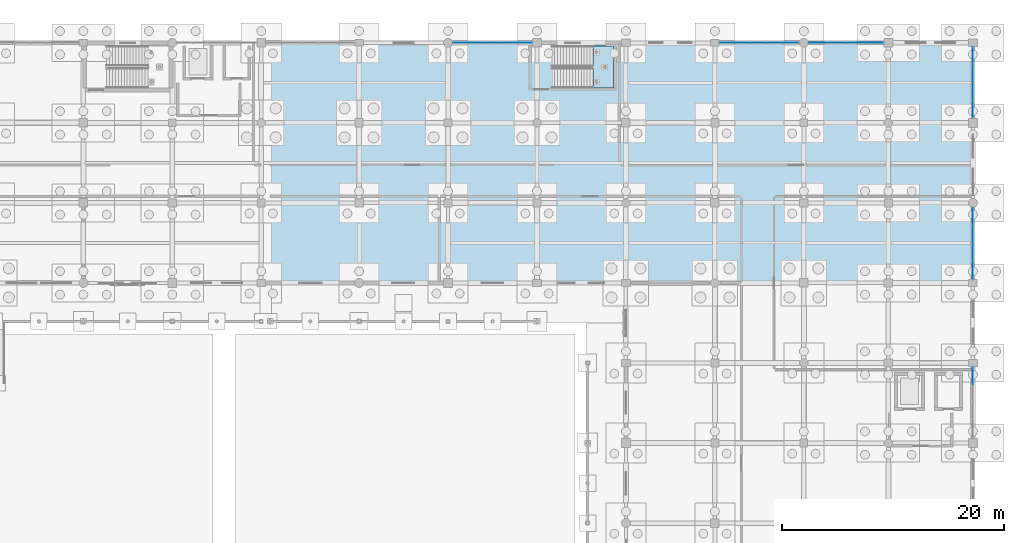
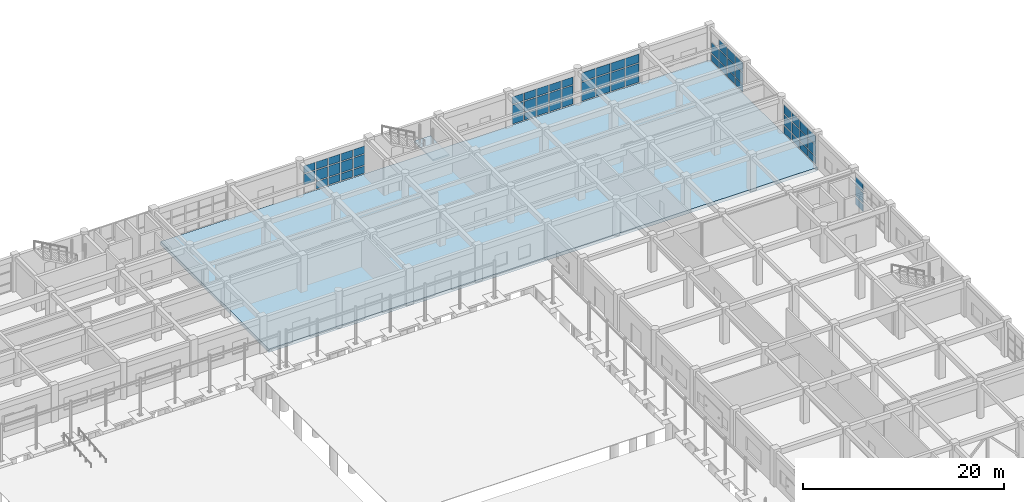
# One storey, part 117 of 166: 67 plates, 2 slabs, 7 elements without a shape of their own.
"""IFC4 building model written with IfcOpenShell, lengths in metres."""

from ifc_helpers import new_model, si_unit, direction, frame, origin, origin_2d, place, context, subcontext, project, spatial, polyline, rectangle, outline, extrude, material, layer, layer_set, type_object, element, aggregate, save


model = new_model("IFC4")

# Units and contexts
model_context = context("Model", 3, precision=1e-05, world=origin(), true_north=direction((0.0, 1.0)))
body_context = subcontext(model_context, "Body", "Model", "MODEL_VIEW")
ifc_project = project(units=[si_unit("LENGTHUNIT", "METRE"), si_unit("AREAUNIT", "SQUARE_METRE"), si_unit("VOLUMEUNIT", "CUBIC_METRE"), si_unit("PLANEANGLEUNIT", "RADIAN"), si_unit("MASSUNIT", "GRAM", prefix="KILO")], contexts=[model_context])

# Site, building, storey
site_placement = place(None, origin())
site = spatial("IfcSite", under=ifc_project, at=site_placement, CompositionType="ELEMENT")
building_placement = place(site_placement, origin())
building = spatial("IfcBuilding", under=site, at=building_placement, Name="Kharva Crest Polytechnic", CompositionType="ELEMENT")
storey_placement = place(building_placement, origin())
storey = spatial("IfcBuildingStorey", under=building, at=storey_placement, Name="L00", CompositionType="ELEMENT", Elevation=0.0)

# Curtain wall, plates
ifc_material_1 = material(Name="Tempered insulated glass", Category="glass")
curtain_wall_type = type_object("IfcCurtainWallType", Name="CW-SYS-COURT", PredefinedType="USERDEFINED", material=ifc_material_1)
curtain_wall_1_placement = place(storey_placement, origin())
curtain_wall_1 = element("IfcCurtainWall", 1, at=curtain_wall_1_placement, inside=storey, type_object=curtain_wall_type, Name="L00 Glazed Curtain Wall CW-018", ObjectType="CURTAIN WALL", PredefinedType="USERDEFINED")
ifc_layer_1 = layer(ifc_material_1, 0.02392578125, Name="Tempered insulated glass")
ifc_layer_set_1 = layer_set([ifc_layer_1], Name="Tempered insulated glass")
plate_type = type_object("IfcPlateType", Name="CWP-GLZ-24", PredefinedType="CURTAIN_PANEL", material=ifc_layer_set_1)
plate_1_placement = place(storey_placement, frame((184.0, 92.0419921875, 0.119873046875), z_axis=(0.0, 0.0, 1.0), x_axis=(0.0, 1.0, 0.0)))
plate_1 = element("IfcPlate", 2, at=plate_1_placement, type_object=plate_type, Name="CW-018 panel 4.1", PredefinedType="CURTAIN_PANEL", context=body_context, shape_type="SweptSolid", body=[
    extrude(rectangle(XDim=1.496337890625, YDim=0.02392578125, at=origin_2d()), origin(), (0.0, 0.0, 1.0), 0.8701171875),
])
plate_2_placement = place(storey_placement, frame((184.0, 92.0419921875, 1.10986328125), z_axis=(0.0, 0.0, 1.0), x_axis=(0.0, 1.0, 0.0)))
plate_2 = element("IfcPlate", 3, at=plate_2_placement, type_object=plate_type, Name="CW-018 panel 4.2", PredefinedType="CURTAIN_PANEL", context=body_context, shape_type="SweptSolid", body=[
    extrude(rectangle(XDim=1.496337890625, YDim=0.02392578125, at=origin_2d()), origin(), (0.0, 0.0, 1.0), 1.280029296875),
])
plate_3_placement = place(storey_placement, frame((184.0, 92.0419921875, 2.51025390625), z_axis=(0.0, 0.0, 1.0), x_axis=(0.0, 1.0, 0.0)))
plate_3 = element("IfcPlate", 4, at=plate_3_placement, type_object=plate_type, Name="CW-018 panel 4.3", PredefinedType="CURTAIN_PANEL", context=body_context, shape_type="SweptSolid", body=[
    extrude(rectangle(XDim=1.496337890625, YDim=0.02392578125, at=origin_2d()), origin(), (0.0, 0.0, 1.0), 0.969970703125),
])
aggregate(curtain_wall_1, [plate_1, plate_2, plate_3])

curtain_wall_2_placement = place(storey_placement, origin())
curtain_wall_2 = element("IfcCurtainWall", 5, at=curtain_wall_2_placement, inside=storey, type_object=curtain_wall_type, Name="L00 Glazed Curtain Wall CW-019", ObjectType="CURTAIN WALL", PredefinedType="USERDEFINED")
plate_4_placement = place(storey_placement, frame((184.0, 101.5361328125, 0.119873046875), z_axis=(0.0, 0.0, 1.0), x_axis=(0.0, 1.0, 0.0)))
plate_4 = element("IfcPlate", 6, at=plate_4_placement, type_object=plate_type, Name="CW-019 panel 1.1", PredefinedType="CURTAIN_PANEL", context=body_context, shape_type="SweptSolid", body=[
    extrude(rectangle(XDim=1.50244140625, YDim=0.02392578125, at=origin_2d()), origin(), (0.0, 0.0, 1.0), 0.8701171875),
])
plate_5_placement = place(storey_placement, frame((184.0, 101.5361328125, 1.10986328125), z_axis=(0.0, 0.0, 1.0), x_axis=(0.0, 1.0, 0.0)))
plate_5 = element("IfcPlate", 7, at=plate_5_placement, type_object=plate_type, Name="CW-019 panel 1.2", PredefinedType="CURTAIN_PANEL", context=body_context, shape_type="SweptSolid", body=[
    extrude(rectangle(XDim=1.50244140625, YDim=0.02392578125, at=origin_2d()), origin(), (0.0, 0.0, 1.0), 1.280029296875),
])
plate_6_placement = place(storey_placement, frame((184.0, 101.5361328125, 2.509765625), z_axis=(0.0, 0.0, 1.0), x_axis=(0.0, 1.0, 0.0)))
plate_6 = element("IfcPlate", 8, at=plate_6_placement, type_object=plate_type, Name="CW-019 panel 1.3", PredefinedType="CURTAIN_PANEL", context=body_context, shape_type="SweptSolid", body=[
    extrude(rectangle(XDim=1.50244140625, YDim=0.02392578125, at=origin_2d()), origin(), (0.0, 0.0, 1.0), 1.070068359375),
])
plate_7_placement = place(storey_placement, frame((184.0, 103.138671875, 0.119873046875), z_axis=(0.0, 0.0, 1.0), x_axis=(0.0, 1.0, 0.0)))
plate_7 = element("IfcPlate", 9, at=plate_7_placement, type_object=plate_type, Name="CW-019 panel 2.1", PredefinedType="CURTAIN_PANEL", context=body_context, shape_type="SweptSolid", body=[
    extrude(rectangle(XDim=1.54248046875, YDim=0.02392578125, at=origin_2d()), origin(), (0.0, 0.0, 1.0), 0.8701171875),
])
plate_8_placement = place(storey_placement, frame((184.0, 103.138671875, 1.10986328125), z_axis=(0.0, 0.0, 1.0), x_axis=(0.0, 1.0, 0.0)))
plate_8 = element("IfcPlate", 10, at=plate_8_placement, type_object=plate_type, Name="CW-019 panel 2.2", PredefinedType="CURTAIN_PANEL", context=body_context, shape_type="SweptSolid", body=[
    extrude(rectangle(XDim=1.54248046875, YDim=0.02392578125, at=origin_2d()), origin(), (0.0, 0.0, 1.0), 1.280029296875),
])
plate_9_placement = place(storey_placement, frame((184.0, 103.138671875, 2.509765625), z_axis=(0.0, 0.0, 1.0), x_axis=(0.0, 1.0, 0.0)))
plate_9 = element("IfcPlate", 11, at=plate_9_placement, type_object=plate_type, Name="CW-019 panel 2.3", PredefinedType="CURTAIN_PANEL", context=body_context, shape_type="SweptSolid", body=[
    extrude(rectangle(XDim=1.54248046875, YDim=0.02392578125, at=origin_2d()), origin(), (0.0, 0.0, 1.0), 1.070068359375),
])
plate_10_placement = place(storey_placement, frame((184.0, 104.76123046875, 0.119873046875), z_axis=(0.0, 0.0, 1.0), x_axis=(0.0, 1.0, 0.0)))
plate_10 = element("IfcPlate", 12, at=plate_10_placement, type_object=plate_type, Name="CW-019 panel 3.1", PredefinedType="CURTAIN_PANEL", context=body_context, shape_type="SweptSolid", body=[
    extrude(rectangle(XDim=1.54248046875, YDim=0.02392578125, at=origin_2d()), origin(), (0.0, 0.0, 1.0), 0.8701171875),
])
plate_11_placement = place(storey_placement, frame((184.0, 104.76123046875, 1.10986328125), z_axis=(0.0, 0.0, 1.0), x_axis=(0.0, 1.0, 0.0)))
plate_11 = element("IfcPlate", 13, at=plate_11_placement, type_object=plate_type, Name="CW-019 panel 3.2", PredefinedType="CURTAIN_PANEL", context=body_context, shape_type="SweptSolid", body=[
    extrude(rectangle(XDim=1.54248046875, YDim=0.02392578125, at=origin_2d()), origin(), (0.0, 0.0, 1.0), 1.280029296875),
])
plate_12_placement = place(storey_placement, frame((184.0, 104.76123046875, 2.509765625), z_axis=(0.0, 0.0, 1.0), x_axis=(0.0, 1.0, 0.0)))
plate_12 = element("IfcPlate", 14, at=plate_12_placement, type_object=plate_type, Name="CW-019 panel 3.3", PredefinedType="CURTAIN_PANEL", context=body_context, shape_type="SweptSolid", body=[
    extrude(rectangle(XDim=1.54248046875, YDim=0.02392578125, at=origin_2d()), origin(), (0.0, 0.0, 1.0), 1.070068359375),
])
plate_13_placement = place(storey_placement, frame((184.0, 106.36376953125, 0.119873046875), z_axis=(0.0, 0.0, 1.0), x_axis=(0.0, 1.0, 0.0)))
plate_13 = element("IfcPlate", 15, at=plate_13_placement, type_object=plate_type, Name="CW-019 panel 4.1", PredefinedType="CURTAIN_PANEL", context=body_context, shape_type="SweptSolid", body=[
    extrude(rectangle(XDim=1.50244140625, YDim=0.02392578125, at=origin_2d()), origin(), (0.0, 0.0, 1.0), 0.8701171875),
])
plate_14_placement = place(storey_placement, frame((184.0, 106.36376953125, 1.10986328125), z_axis=(0.0, 0.0, 1.0), x_axis=(0.0, 1.0, 0.0)))
plate_14 = element("IfcPlate", 16, at=plate_14_placement, type_object=plate_type, Name="CW-019 panel 4.2", PredefinedType="CURTAIN_PANEL", context=body_context, shape_type="SweptSolid", body=[
    extrude(rectangle(XDim=1.50244140625, YDim=0.02392578125, at=origin_2d()), origin(), (0.0, 0.0, 1.0), 1.280029296875),
])
plate_15_placement = place(storey_placement, frame((184.0, 106.36376953125, 2.509765625), z_axis=(0.0, 0.0, 1.0), x_axis=(0.0, 1.0, 0.0)))
plate_15 = element("IfcPlate", 17, at=plate_15_placement, type_object=plate_type, Name="CW-019 panel 4.3", PredefinedType="CURTAIN_PANEL", context=body_context, shape_type="SweptSolid", body=[
    extrude(rectangle(XDim=1.50244140625, YDim=0.02392578125, at=origin_2d()), origin(), (0.0, 0.0, 1.0), 1.070068359375),
])
aggregate(curtain_wall_2, [plate_4, plate_5, plate_6, plate_7, plate_8, plate_9, plate_10, plate_11, plate_12, plate_13, plate_14, plate_15])

curtain_wall_3_placement = place(storey_placement, origin())
curtain_wall_3 = element("IfcCurtainWall", 18, at=curtain_wall_3_placement, inside=storey, type_object=curtain_wall_type, Name="L00 Glazed Curtain Wall CW-020", ObjectType="CURTAIN WALL", PredefinedType="USERDEFINED")
plate_16_placement = place(storey_placement, frame((184.0, 116.033203125, 0.119873046875), z_axis=(0.0, 0.0, 1.0), x_axis=(0.0, 1.0, 0.0)))
plate_16 = element("IfcPlate", 19, at=plate_16_placement, type_object=plate_type, Name="CW-020 panel 1.1", PredefinedType="CURTAIN_PANEL", context=body_context, shape_type="SweptSolid", body=[
    extrude(rectangle(XDim=1.496337890625, YDim=0.02392578125, at=origin_2d()), origin(), (0.0, 0.0, 1.0), 0.8701171875),
])
plate_17_placement = place(storey_placement, frame((184.0, 116.033203125, 1.10986328125), z_axis=(0.0, 0.0, 1.0), x_axis=(0.0, 1.0, 0.0)))
plate_17 = element("IfcPlate", 20, at=plate_17_placement, type_object=plate_type, Name="CW-020 panel 1.2", PredefinedType="CURTAIN_PANEL", context=body_context, shape_type="SweptSolid", body=[
    extrude(rectangle(XDim=1.496337890625, YDim=0.02392578125, at=origin_2d()), origin(), (0.0, 0.0, 1.0), 1.280029296875),
])
plate_18_placement = place(storey_placement, frame((184.0, 116.033203125, 2.510009765625), z_axis=(0.0, 0.0, 1.0), x_axis=(0.0, 1.0, 0.0)))
plate_18 = element("IfcPlate", 21, at=plate_18_placement, type_object=plate_type, Name="CW-020 panel 1.3", PredefinedType="CURTAIN_PANEL", context=body_context, shape_type="SweptSolid", body=[
    extrude(rectangle(XDim=1.496337890625, YDim=0.02392578125, at=origin_2d()), origin(), (0.0, 0.0, 1.0), 1.14990234375),
])
plate_19_placement = place(storey_placement, frame((184.0, 117.62939453125, 0.119873046875), z_axis=(0.0, 0.0, 1.0), x_axis=(0.0, 1.0, 0.0)))
plate_19 = element("IfcPlate", 22, at=plate_19_placement, type_object=plate_type, Name="CW-020 panel 2.1", PredefinedType="CURTAIN_PANEL", context=body_context, shape_type="SweptSolid", body=[
    extrude(rectangle(XDim=1.5361328125, YDim=0.02392578125, at=origin_2d()), origin(), (0.0, 0.0, 1.0), 0.8701171875),
])
plate_20_placement = place(storey_placement, frame((184.0, 117.62939453125, 1.10986328125), z_axis=(0.0, 0.0, 1.0), x_axis=(0.0, 1.0, 0.0)))
plate_20 = element("IfcPlate", 23, at=plate_20_placement, type_object=plate_type, Name="CW-020 panel 2.2", PredefinedType="CURTAIN_PANEL", context=body_context, shape_type="SweptSolid", body=[
    extrude(rectangle(XDim=1.5361328125, YDim=0.02392578125, at=origin_2d()), origin(), (0.0, 0.0, 1.0), 1.280029296875),
])
plate_21_placement = place(storey_placement, frame((184.0, 117.62939453125, 2.510009765625), z_axis=(0.0, 0.0, 1.0), x_axis=(0.0, 1.0, 0.0)))
plate_21 = element("IfcPlate", 24, at=plate_21_placement, type_object=plate_type, Name="CW-020 panel 2.3", PredefinedType="CURTAIN_PANEL", context=body_context, shape_type="SweptSolid", body=[
    extrude(rectangle(XDim=1.5361328125, YDim=0.02392578125, at=origin_2d()), origin(), (0.0, 0.0, 1.0), 1.14990234375),
])
plate_22_placement = place(storey_placement, frame((184.0, 119.24560546875, 0.119873046875), z_axis=(0.0, 0.0, 1.0), x_axis=(0.0, 1.0, 0.0)))
plate_22 = element("IfcPlate", 25, at=plate_22_placement, type_object=plate_type, Name="CW-020 panel 3.1", PredefinedType="CURTAIN_PANEL", context=body_context, shape_type="SweptSolid", body=[
    extrude(rectangle(XDim=1.5361328125, YDim=0.02392578125, at=origin_2d()), origin(), (0.0, 0.0, 1.0), 0.8701171875),
])
plate_23_placement = place(storey_placement, frame((184.0, 119.24560546875, 1.10986328125), z_axis=(0.0, 0.0, 1.0), x_axis=(0.0, 1.0, 0.0)))
plate_23 = element("IfcPlate", 26, at=plate_23_placement, type_object=plate_type, Name="CW-020 panel 3.2", PredefinedType="CURTAIN_PANEL", context=body_context, shape_type="SweptSolid", body=[
    extrude(rectangle(XDim=1.5361328125, YDim=0.02392578125, at=origin_2d()), origin(), (0.0, 0.0, 1.0), 1.280029296875),
])
plate_24_placement = place(storey_placement, frame((184.0, 119.24560546875, 2.510009765625), z_axis=(0.0, 0.0, 1.0), x_axis=(0.0, 1.0, 0.0)))
plate_24 = element("IfcPlate", 27, at=plate_24_placement, type_object=plate_type, Name="CW-020 panel 3.3", PredefinedType="CURTAIN_PANEL", context=body_context, shape_type="SweptSolid", body=[
    extrude(rectangle(XDim=1.5361328125, YDim=0.02392578125, at=origin_2d()), origin(), (0.0, 0.0, 1.0), 1.14990234375),
])
plate_25_placement = place(storey_placement, frame((184.0, 120.841796875, 0.119873046875), z_axis=(0.0, 0.0, 1.0), x_axis=(0.0, 1.0, 0.0)))
plate_25 = element("IfcPlate", 28, at=plate_25_placement, type_object=plate_type, Name="CW-020 panel 4.1", PredefinedType="CURTAIN_PANEL", context=body_context, shape_type="SweptSolid", body=[
    extrude(rectangle(XDim=1.496337890625, YDim=0.02392578125, at=origin_2d()), origin(), (0.0, 0.0, 1.0), 0.8701171875),
])
plate_26_placement = place(storey_placement, frame((184.0, 120.841796875, 1.10986328125), z_axis=(0.0, 0.0, 1.0), x_axis=(0.0, 1.0, 0.0)))
plate_26 = element("IfcPlate", 29, at=plate_26_placement, type_object=plate_type, Name="CW-020 panel 4.2", PredefinedType="CURTAIN_PANEL", context=body_context, shape_type="SweptSolid", body=[
    extrude(rectangle(XDim=1.496337890625, YDim=0.02392578125, at=origin_2d()), origin(), (0.0, 0.0, 1.0), 1.280029296875),
])
aggregate(curtain_wall_3, [plate_16, plate_17, plate_18, plate_19, plate_20, plate_21, plate_22, plate_23, plate_24, plate_25, plate_26])

curtain_wall_4_placement = place(storey_placement, origin())
curtain_wall_4 = element("IfcCurtainWall", 30, at=curtain_wall_4_placement, inside=storey, type_object=curtain_wall_type, Name="L00 Glazed Curtain Wall CW-021", ObjectType="CURTAIN WALL", PredefinedType="USERDEFINED")
plate_27_placement = place(storey_placement, frame((175.126220703125, 122.0, 0.119873046875), z_axis=(0.0, 0.0, 1.0), x_axis=(-1.0, 0.0, 0.0)))
plate_27 = element("IfcPlate", 31, at=plate_27_placement, type_object=plate_type, Name="CW-021 panel 1.1", PredefinedType="CURTAIN_PANEL", context=body_context, shape_type="SweptSolid", body=[
    extrude(rectangle(XDim=1.577392578125, YDim=0.02392578125, at=origin_2d()), origin(), (0.0, 0.0, 1.0), 0.8701171875),
])
plate_28_placement = place(storey_placement, frame((175.126220703125, 122.0, 1.10986328125), z_axis=(0.0, 0.0, 1.0), x_axis=(-1.0, 0.0, 0.0)))
plate_28 = element("IfcPlate", 32, at=plate_28_placement, type_object=plate_type, Name="CW-021 panel 1.2", PredefinedType="CURTAIN_PANEL", context=body_context, shape_type="SweptSolid", body=[
    extrude(rectangle(XDim=1.577392578125, YDim=0.02392578125, at=origin_2d()), origin(), (0.0, 0.0, 1.0), 1.280029296875),
])
plate_29_placement = place(storey_placement, frame((175.126220703125, 122.0, 2.510009765625), z_axis=(0.0, 0.0, 1.0), x_axis=(-1.0, 0.0, 0.0)))
plate_29 = element("IfcPlate", 33, at=plate_29_placement, type_object=plate_type, Name="CW-021 panel 1.3", PredefinedType="CURTAIN_PANEL", context=body_context, shape_type="SweptSolid", body=[
    extrude(rectangle(XDim=1.577392578125, YDim=0.02392578125, at=origin_2d()), origin(), (0.0, 0.0, 1.0), 1.0400390625),
])
plate_30_placement = place(storey_placement, frame((173.44873046875, 122.0, 0.119873046875), z_axis=(0.0, 0.0, 1.0), x_axis=(-1.0, 0.0, 0.0)))
plate_30 = element("IfcPlate", 34, at=plate_30_placement, type_object=plate_type, Name="CW-021 panel 2.1", PredefinedType="CURTAIN_PANEL", context=body_context, shape_type="SweptSolid", body=[
    extrude(rectangle(XDim=1.617431640625, YDim=0.02392578125, at=origin_2d()), origin(), (0.0, 0.0, 1.0), 0.8701171875),
])
plate_31_placement = place(storey_placement, frame((173.44873046875, 122.0, 1.10986328125), z_axis=(0.0, 0.0, 1.0), x_axis=(-1.0, 0.0, 0.0)))
plate_31 = element("IfcPlate", 35, at=plate_31_placement, type_object=plate_type, Name="CW-021 panel 2.2", PredefinedType="CURTAIN_PANEL", context=body_context, shape_type="SweptSolid", body=[
    extrude(rectangle(XDim=1.617431640625, YDim=0.02392578125, at=origin_2d()), origin(), (0.0, 0.0, 1.0), 1.280029296875),
])
plate_32_placement = place(storey_placement, frame((173.44873046875, 122.0, 2.510009765625), z_axis=(0.0, 0.0, 1.0), x_axis=(-1.0, 0.0, 0.0)))
plate_32 = element("IfcPlate", 36, at=plate_32_placement, type_object=plate_type, Name="CW-021 panel 2.3", PredefinedType="CURTAIN_PANEL", context=body_context, shape_type="SweptSolid", body=[
    extrude(rectangle(XDim=1.617431640625, YDim=0.02392578125, at=origin_2d()), origin(), (0.0, 0.0, 1.0), 1.0400390625),
])
plate_33_placement = place(storey_placement, frame((171.751220703125, 122.0, 0.119873046875), z_axis=(0.0, 0.0, 1.0), x_axis=(-1.0, 0.0, 0.0)))
plate_33 = element("IfcPlate", 37, at=plate_33_placement, type_object=plate_type, Name="CW-021 panel 3.1", PredefinedType="CURTAIN_PANEL", context=body_context, shape_type="SweptSolid", body=[
    extrude(rectangle(XDim=1.617431640625, YDim=0.02392578125, at=origin_2d()), origin(), (0.0, 0.0, 1.0), 0.8701171875),
])
plate_34_placement = place(storey_placement, frame((171.751220703125, 122.0, 1.10986328125), z_axis=(0.0, 0.0, 1.0), x_axis=(-1.0, 0.0, 0.0)))
plate_34 = element("IfcPlate", 38, at=plate_34_placement, type_object=plate_type, Name="CW-021 panel 3.2", PredefinedType="CURTAIN_PANEL", context=body_context, shape_type="SweptSolid", body=[
    extrude(rectangle(XDim=1.617431640625, YDim=0.02392578125, at=origin_2d()), origin(), (0.0, 0.0, 1.0), 1.280029296875),
])
plate_35_placement = place(storey_placement, frame((171.751220703125, 122.0, 2.510009765625), z_axis=(0.0, 0.0, 1.0), x_axis=(-1.0, 0.0, 0.0)))
plate_35 = element("IfcPlate", 39, at=plate_35_placement, type_object=plate_type, Name="CW-021 panel 3.3", PredefinedType="CURTAIN_PANEL", context=body_context, shape_type="SweptSolid", body=[
    extrude(rectangle(XDim=1.617431640625, YDim=0.02392578125, at=origin_2d()), origin(), (0.0, 0.0, 1.0), 1.0400390625),
])
plate_36_placement = place(storey_placement, frame((170.07373046875, 122.0, 0.119873046875), z_axis=(0.0, 0.0, 1.0), x_axis=(-1.0, 0.0, 0.0)))
plate_36 = element("IfcPlate", 40, at=plate_36_placement, type_object=plate_type, Name="CW-021 panel 4.1", PredefinedType="CURTAIN_PANEL", context=body_context, shape_type="SweptSolid", body=[
    extrude(rectangle(XDim=1.577392578125, YDim=0.02392578125, at=origin_2d()), origin(), (0.0, 0.0, 1.0), 0.8701171875),
])
plate_37_placement = place(storey_placement, frame((170.07373046875, 122.0, 1.10986328125), z_axis=(0.0, 0.0, 1.0), x_axis=(-1.0, 0.0, 0.0)))
plate_37 = element("IfcPlate", 41, at=plate_37_placement, type_object=plate_type, Name="CW-021 panel 4.2", PredefinedType="CURTAIN_PANEL", context=body_context, shape_type="SweptSolid", body=[
    extrude(rectangle(XDim=1.577392578125, YDim=0.02392578125, at=origin_2d()), origin(), (0.0, 0.0, 1.0), 1.280029296875),
])
plate_38_placement = place(storey_placement, frame((170.07373046875, 122.0, 2.510009765625), z_axis=(0.0, 0.0, 1.0), x_axis=(-1.0, 0.0, 0.0)))
plate_38 = element("IfcPlate", 42, at=plate_38_placement, type_object=plate_type, Name="CW-021 panel 4.3", PredefinedType="CURTAIN_PANEL", context=body_context, shape_type="SweptSolid", body=[
    extrude(rectangle(XDim=1.577392578125, YDim=0.02392578125, at=origin_2d()), origin(), (0.0, 0.0, 1.0), 1.0400390625),
])
aggregate(curtain_wall_4, [plate_27, plate_28, plate_29, plate_30, plate_31, plate_32, plate_33, plate_34, plate_35, plate_36, plate_37, plate_38])

curtain_wall_5_placement = place(storey_placement, origin())
curtain_wall_5 = element("IfcCurtainWall", 43, at=curtain_wall_5_placement, inside=storey, type_object=curtain_wall_type, Name="L00 Glazed Curtain Wall CW-022", ObjectType="CURTAIN WALL", PredefinedType="USERDEFINED")
plate_39_placement = place(storey_placement, frame((167.655029296875, 122.0, 0.119873046875), z_axis=(0.0, 0.0, 1.0), x_axis=(-1.0, 0.0, 0.0)))
plate_39 = element("IfcPlate", 44, at=plate_39_placement, type_object=plate_type, Name="CW-022 panel 1.1", PredefinedType="CURTAIN_PANEL", context=body_context, shape_type="SweptSolid", body=[
    extrude(rectangle(XDim=1.320068359375, YDim=0.02392578125, at=origin_2d()), origin(), (0.0, 0.0, 1.0), 0.8701171875),
])
plate_40_placement = place(storey_placement, frame((167.655029296875, 122.0, 1.10986328125), z_axis=(0.0, 0.0, 1.0), x_axis=(-1.0, 0.0, 0.0)))
plate_40 = element("IfcPlate", 45, at=plate_40_placement, type_object=plate_type, Name="CW-022 panel 1.2", PredefinedType="CURTAIN_PANEL", context=body_context, shape_type="SweptSolid", body=[
    extrude(rectangle(XDim=1.320068359375, YDim=0.02392578125, at=origin_2d()), origin(), (0.0, 0.0, 1.0), 1.280029296875),
])
plate_41_placement = place(storey_placement, frame((167.655029296875, 122.0, 2.51025390625), z_axis=(0.0, 0.0, 1.0), x_axis=(-1.0, 0.0, 0.0)))
plate_41 = element("IfcPlate", 46, at=plate_41_placement, type_object=plate_type, Name="CW-022 panel 1.3", PredefinedType="CURTAIN_PANEL", context=body_context, shape_type="SweptSolid", body=[
    extrude(rectangle(XDim=1.320068359375, YDim=0.02392578125, at=origin_2d()), origin(), (0.0, 0.0, 1.0), 0.909912109375),
])
plate_42_placement = place(storey_placement, frame((166.235107421875, 122.0, 0.119873046875), z_axis=(0.0, 0.0, 1.0), x_axis=(-1.0, 0.0, 0.0)))
plate_42 = element("IfcPlate", 47, at=plate_42_placement, type_object=plate_type, Name="CW-022 panel 2.1", PredefinedType="CURTAIN_PANEL", context=body_context, shape_type="SweptSolid", body=[
    extrude(rectangle(XDim=1.360107421875, YDim=0.02392578125, at=origin_2d()), origin(), (0.0, 0.0, 1.0), 0.8701171875),
])
plate_43_placement = place(storey_placement, frame((166.235107421875, 122.0, 1.10986328125), z_axis=(0.0, 0.0, 1.0), x_axis=(-1.0, 0.0, 0.0)))
plate_43 = element("IfcPlate", 48, at=plate_43_placement, type_object=plate_type, Name="CW-022 panel 2.2", PredefinedType="CURTAIN_PANEL", context=body_context, shape_type="SweptSolid", body=[
    extrude(rectangle(XDim=1.360107421875, YDim=0.02392578125, at=origin_2d()), origin(), (0.0, 0.0, 1.0), 1.280029296875),
])
plate_44_placement = place(storey_placement, frame((166.235107421875, 122.0, 2.51025390625), z_axis=(0.0, 0.0, 1.0), x_axis=(-1.0, 0.0, 0.0)))
plate_44 = element("IfcPlate", 49, at=plate_44_placement, type_object=plate_type, Name="CW-022 panel 2.3", PredefinedType="CURTAIN_PANEL", context=body_context, shape_type="SweptSolid", body=[
    extrude(rectangle(XDim=1.360107421875, YDim=0.02392578125, at=origin_2d()), origin(), (0.0, 0.0, 1.0), 0.909912109375),
])
plate_45_placement = place(storey_placement, frame((164.794921875, 122.0, 0.119873046875), z_axis=(0.0, 0.0, 1.0), x_axis=(-1.0, 0.0, 0.0)))
plate_45 = element("IfcPlate", 50, at=plate_45_placement, type_object=plate_type, Name="CW-022 panel 3.1", PredefinedType="CURTAIN_PANEL", context=body_context, shape_type="SweptSolid", body=[
    extrude(rectangle(XDim=1.360107421875, YDim=0.02392578125, at=origin_2d()), origin(), (0.0, 0.0, 1.0), 0.8701171875),
])
plate_46_placement = place(storey_placement, frame((164.794921875, 122.0, 1.10986328125), z_axis=(0.0, 0.0, 1.0), x_axis=(-1.0, 0.0, 0.0)))
plate_46 = element("IfcPlate", 51, at=plate_46_placement, type_object=plate_type, Name="CW-022 panel 3.2", PredefinedType="CURTAIN_PANEL", context=body_context, shape_type="SweptSolid", body=[
    extrude(rectangle(XDim=1.360107421875, YDim=0.02392578125, at=origin_2d()), origin(), (0.0, 0.0, 1.0), 1.280029296875),
])
plate_47_placement = place(storey_placement, frame((164.794921875, 122.0, 2.51025390625), z_axis=(0.0, 0.0, 1.0), x_axis=(-1.0, 0.0, 0.0)))
plate_47 = element("IfcPlate", 52, at=plate_47_placement, type_object=plate_type, Name="CW-022 panel 3.3", PredefinedType="CURTAIN_PANEL", context=body_context, shape_type="SweptSolid", body=[
    extrude(rectangle(XDim=1.360107421875, YDim=0.02392578125, at=origin_2d()), origin(), (0.0, 0.0, 1.0), 0.909912109375),
])
plate_48_placement = place(storey_placement, frame((163.35498046875, 122.0, 0.119873046875), z_axis=(0.0, 0.0, 1.0), x_axis=(-1.0, 0.0, 0.0)))
plate_48 = element("IfcPlate", 53, at=plate_48_placement, type_object=plate_type, Name="CW-022 panel 4.1", PredefinedType="CURTAIN_PANEL", context=body_context, shape_type="SweptSolid", body=[
    extrude(rectangle(XDim=1.360107421875, YDim=0.02392578125, at=origin_2d()), origin(), (0.0, 0.0, 1.0), 0.8701171875),
])
plate_49_placement = place(storey_placement, frame((163.35498046875, 122.0, 1.10986328125), z_axis=(0.0, 0.0, 1.0), x_axis=(-1.0, 0.0, 0.0)))
plate_49 = element("IfcPlate", 54, at=plate_49_placement, type_object=plate_type, Name="CW-022 panel 4.2", PredefinedType="CURTAIN_PANEL", context=body_context, shape_type="SweptSolid", body=[
    extrude(rectangle(XDim=1.360107421875, YDim=0.02392578125, at=origin_2d()), origin(), (0.0, 0.0, 1.0), 1.280029296875),
])
plate_50_placement = place(storey_placement, frame((163.35498046875, 122.0, 2.51025390625), z_axis=(0.0, 0.0, 1.0), x_axis=(-1.0, 0.0, 0.0)))
plate_50 = element("IfcPlate", 55, at=plate_50_placement, type_object=plate_type, Name="CW-022 panel 4.3", PredefinedType="CURTAIN_PANEL", context=body_context, shape_type="SweptSolid", body=[
    extrude(rectangle(XDim=1.360107421875, YDim=0.02392578125, at=origin_2d()), origin(), (0.0, 0.0, 1.0), 0.909912109375),
])
plate_51_placement = place(storey_placement, frame((161.93505859375, 122.0, 0.119873046875), z_axis=(0.0, 0.0, 1.0), x_axis=(-1.0, 0.0, 0.0)))
plate_51 = element("IfcPlate", 56, at=plate_51_placement, type_object=plate_type, Name="CW-022 panel 5.1", PredefinedType="CURTAIN_PANEL", context=body_context, shape_type="SweptSolid", body=[
    extrude(rectangle(XDim=1.320068359375, YDim=0.02392578125, at=origin_2d()), origin(), (0.0, 0.0, 1.0), 0.8701171875),
])
plate_52_placement = place(storey_placement, frame((161.93505859375, 122.0, 1.10986328125), z_axis=(0.0, 0.0, 1.0), x_axis=(-1.0, 0.0, 0.0)))
plate_52 = element("IfcPlate", 57, at=plate_52_placement, type_object=plate_type, Name="CW-022 panel 5.2", PredefinedType="CURTAIN_PANEL", context=body_context, shape_type="SweptSolid", body=[
    extrude(rectangle(XDim=1.320068359375, YDim=0.02392578125, at=origin_2d()), origin(), (0.0, 0.0, 1.0), 1.280029296875),
])
plate_53_placement = place(storey_placement, frame((161.93505859375, 122.0, 2.51025390625), z_axis=(0.0, 0.0, 1.0), x_axis=(-1.0, 0.0, 0.0)))
plate_53 = element("IfcPlate", 58, at=plate_53_placement, type_object=plate_type, Name="CW-022 panel 5.3", PredefinedType="CURTAIN_PANEL", context=body_context, shape_type="SweptSolid", body=[
    extrude(rectangle(XDim=1.320068359375, YDim=0.02392578125, at=origin_2d()), origin(), (0.0, 0.0, 1.0), 0.909912109375),
])
aggregate(curtain_wall_5, [plate_39, plate_40, plate_41, plate_42, plate_43, plate_44, plate_45, plate_46, plate_47, plate_48, plate_49, plate_50, plate_51, plate_52, plate_53])

curtain_wall_6_placement = place(storey_placement, origin())
curtain_wall_6 = element("IfcCurtainWall", 59, at=curtain_wall_6_placement, inside=storey, type_object=curtain_wall_type, Name="L00 Glazed Curtain Wall CW-023", ObjectType="CURTAIN WALL", PredefinedType="USERDEFINED")
plate_54_placement = place(storey_placement, frame((143.656005859375, 122.0, 0.119873046875), z_axis=(0.0, 0.0, 1.0), x_axis=(-1.0, 0.0, 0.0)))
plate_54 = element("IfcPlate", 60, at=plate_54_placement, type_object=plate_type, Name="CW-023 panel 1.1", PredefinedType="CURTAIN_PANEL", context=body_context, shape_type="SweptSolid", body=[
    extrude(rectangle(XDim=1.318115234375, YDim=0.02392578125, at=origin_2d()), origin(), (0.0, 0.0, 1.0), 0.8701171875),
])
plate_55_placement = place(storey_placement, frame((143.656005859375, 122.0, 1.10986328125), z_axis=(0.0, 0.0, 1.0), x_axis=(-1.0, 0.0, 0.0)))
plate_55 = element("IfcPlate", 61, at=plate_55_placement, type_object=plate_type, Name="CW-023 panel 1.2", PredefinedType="CURTAIN_PANEL", context=body_context, shape_type="SweptSolid", body=[
    extrude(rectangle(XDim=1.318115234375, YDim=0.02392578125, at=origin_2d()), origin(), (0.0, 0.0, 1.0), 1.280029296875),
])
plate_56_placement = place(storey_placement, frame((143.656005859375, 122.0, 2.51025390625), z_axis=(0.0, 0.0, 1.0), x_axis=(-1.0, 0.0, 0.0)))
plate_56 = element("IfcPlate", 62, at=plate_56_placement, type_object=plate_type, Name="CW-023 panel 1.3", PredefinedType="CURTAIN_PANEL", context=body_context, shape_type="SweptSolid", body=[
    extrude(rectangle(XDim=1.318115234375, YDim=0.02392578125, at=origin_2d()), origin(), (0.0, 0.0, 1.0), 0.909912109375),
])
plate_57_placement = place(storey_placement, frame((142.238037109375, 122.0, 0.119873046875), z_axis=(0.0, 0.0, 1.0), x_axis=(-1.0, 0.0, 0.0)))
plate_57 = element("IfcPlate", 63, at=plate_57_placement, type_object=plate_type, Name="CW-023 panel 2.1", PredefinedType="CURTAIN_PANEL", context=body_context, shape_type="SweptSolid", body=[
    extrude(rectangle(XDim=1.35791015625, YDim=0.02392578125, at=origin_2d()), origin(), (0.0, 0.0, 1.0), 0.8701171875),
])
plate_58_placement = place(storey_placement, frame((142.238037109375, 122.0, 1.10986328125), z_axis=(0.0, 0.0, 1.0), x_axis=(-1.0, 0.0, 0.0)))
plate_58 = element("IfcPlate", 64, at=plate_58_placement, type_object=plate_type, Name="CW-023 panel 2.2", PredefinedType="CURTAIN_PANEL", context=body_context, shape_type="SweptSolid", body=[
    extrude(rectangle(XDim=1.35791015625, YDim=0.02392578125, at=origin_2d()), origin(), (0.0, 0.0, 1.0), 1.280029296875),
])
plate_59_placement = place(storey_placement, frame((142.238037109375, 122.0, 2.51025390625), z_axis=(0.0, 0.0, 1.0), x_axis=(-1.0, 0.0, 0.0)))
plate_59 = element("IfcPlate", 65, at=plate_59_placement, type_object=plate_type, Name="CW-023 panel 2.3", PredefinedType="CURTAIN_PANEL", context=body_context, shape_type="SweptSolid", body=[
    extrude(rectangle(XDim=1.35791015625, YDim=0.02392578125, at=origin_2d()), origin(), (0.0, 0.0, 1.0), 0.909912109375),
])
plate_60_placement = place(storey_placement, frame((140.800048828125, 122.0, 0.119873046875), z_axis=(0.0, 0.0, 1.0), x_axis=(-1.0, 0.0, 0.0)))
plate_60 = element("IfcPlate", 66, at=plate_60_placement, type_object=plate_type, Name="CW-023 panel 3.1", PredefinedType="CURTAIN_PANEL", context=body_context, shape_type="SweptSolid", body=[
    extrude(rectangle(XDim=1.35791015625, YDim=0.02392578125, at=origin_2d()), origin(), (0.0, 0.0, 1.0), 0.8701171875),
])
plate_61_placement = place(storey_placement, frame((140.800048828125, 122.0, 1.10986328125), z_axis=(0.0, 0.0, 1.0), x_axis=(-1.0, 0.0, 0.0)))
plate_61 = element("IfcPlate", 67, at=plate_61_placement, type_object=plate_type, Name="CW-023 panel 3.2", PredefinedType="CURTAIN_PANEL", context=body_context, shape_type="SweptSolid", body=[
    extrude(rectangle(XDim=1.35791015625, YDim=0.02392578125, at=origin_2d()), origin(), (0.0, 0.0, 1.0), 1.280029296875),
])
plate_62_placement = place(storey_placement, frame((140.800048828125, 122.0, 2.51025390625), z_axis=(0.0, 0.0, 1.0), x_axis=(-1.0, 0.0, 0.0)))
plate_62 = element("IfcPlate", 68, at=plate_62_placement, type_object=plate_type, Name="CW-023 panel 3.3", PredefinedType="CURTAIN_PANEL", context=body_context, shape_type="SweptSolid", body=[
    extrude(rectangle(XDim=1.35791015625, YDim=0.02392578125, at=origin_2d()), origin(), (0.0, 0.0, 1.0), 0.909912109375),
])
plate_63_placement = place(storey_placement, frame((139.362060546875, 122.0, 0.119873046875), z_axis=(0.0, 0.0, 1.0), x_axis=(-1.0, 0.0, 0.0)))
plate_63 = element("IfcPlate", 69, at=plate_63_placement, type_object=plate_type, Name="CW-023 panel 4.1", PredefinedType="CURTAIN_PANEL", context=body_context, shape_type="SweptSolid", body=[
    extrude(rectangle(XDim=1.35791015625, YDim=0.02392578125, at=origin_2d()), origin(), (0.0, 0.0, 1.0), 0.8701171875),
])
plate_64_placement = place(storey_placement, frame((139.362060546875, 122.0, 1.10986328125), z_axis=(0.0, 0.0, 1.0), x_axis=(-1.0, 0.0, 0.0)))
plate_64 = element("IfcPlate", 70, at=plate_64_placement, type_object=plate_type, Name="CW-023 panel 4.2", PredefinedType="CURTAIN_PANEL", context=body_context, shape_type="SweptSolid", body=[
    extrude(rectangle(XDim=1.35791015625, YDim=0.02392578125, at=origin_2d()), origin(), (0.0, 0.0, 1.0), 1.280029296875),
])
plate_65_placement = place(storey_placement, frame((139.362060546875, 122.0, 2.51025390625), z_axis=(0.0, 0.0, 1.0), x_axis=(-1.0, 0.0, 0.0)))
plate_65 = element("IfcPlate", 71, at=plate_65_placement, type_object=plate_type, Name="CW-023 panel 4.3", PredefinedType="CURTAIN_PANEL", context=body_context, shape_type="SweptSolid", body=[
    extrude(rectangle(XDim=1.35791015625, YDim=0.02392578125, at=origin_2d()), origin(), (0.0, 0.0, 1.0), 0.909912109375),
])
plate_66_placement = place(storey_placement, frame((137.944091796875, 122.0, 1.10986328125), z_axis=(0.0, 0.0, 1.0), x_axis=(-1.0, 0.0, 0.0)))
plate_66 = element("IfcPlate", 72, at=plate_66_placement, type_object=plate_type, Name="CW-023 panel 5.2", PredefinedType="CURTAIN_PANEL", context=body_context, shape_type="SweptSolid", body=[
    extrude(rectangle(XDim=1.318115234375, YDim=0.02392578125, at=origin_2d()), origin(), (0.0, 0.0, 1.0), 1.280029296875),
])
plate_67_placement = place(storey_placement, frame((137.944091796875, 122.0, 2.51025390625), z_axis=(0.0, 0.0, 1.0), x_axis=(-1.0, 0.0, 0.0)))
plate_67 = element("IfcPlate", 73, at=plate_67_placement, type_object=plate_type, Name="CW-023 panel 5.3", PredefinedType="CURTAIN_PANEL", context=body_context, shape_type="SweptSolid", body=[
    extrude(rectangle(XDim=1.318115234375, YDim=0.02392578125, at=origin_2d()), origin(), (0.0, 0.0, 1.0), 0.909912109375),
])
aggregate(curtain_wall_6, [plate_54, plate_55, plate_56, plate_57, plate_58, plate_59, plate_60, plate_61, plate_62, plate_63, plate_64, plate_65, plate_66, plate_67])

# Slab
ifc_material_2 = material(Name="Concrete C35/45", Category="concrete")
ifc_layer_2 = layer(ifc_material_2, 0.405029296875, Name="Concrete C35/45")
ifc_layer_set_2 = layer_set([ifc_layer_2], Name="Concrete C35/45")
slab_type_1 = type_object("IfcSlabType", Name="SLB-BASE-400", PredefinedType="BASESLAB", material=ifc_layer_set_2)
slab_1_placement = place(storey_placement, frame((0.0, 0.0, -0.405029296875)))
element("IfcSlab", 74, at=slab_1_placement, inside=storey, type_object=slab_type_1, Name="L00 Structural Slab N_LAB-E", PredefinedType="BASESLAB", context=body_context, shape_type="SweptSolid", body=[
    extrude(outline(polyline([(120.800048828125, 100.39990234375), (184.0, 100.39990234375), (184.0, 122.0), (120.800048828125, 122.0), (120.800048828125, 100.39990234375)])), origin(), (0.0, 0.0, 1.0), 0.405029296875),
])

# Stair, slab
stair_type = type_object("IfcStairType", Name="STR-DOGLEG-1820", PredefinedType="TWO_STRAIGHT_RUN_STAIR", material=ifc_material_2)
stair_placement = place(storey_placement, origin())
stair = element("IfcStair", 75, at=stair_placement, inside=storey, type_object=stair_type, Name="L00 North-East Library Wing Stair C9", PredefinedType="TWO_STRAIGHT_RUN_STAIR")
ifc_layer_3 = layer(ifc_material_2, 0.199951171875, Name="Concrete C35/45")
ifc_layer_set_3 = layer_set([ifc_layer_3], Name="Concrete C35/45")
slab_type_2 = type_object("IfcSlabType", Name="SLB-LAND-200", PredefinedType="LANDING", material=ifc_layer_set_3)
slab_2_placement = place(storey_placement, frame((0.0, 0.0, 2.050048828125)))
slab_2 = element("IfcSlab", 76, at=slab_2_placement, type_object=slab_type_2, Name="ST-09 landing 1", PredefinedType="LANDING", context=body_context, shape_type="SweptSolid", body=[
    extrude(outline(polyline([(149.840087890625, 117.93994140625), (151.699951171875, 117.93994140625), (151.699951171875, 121.699951171875), (149.840087890625, 121.699951171875), (149.840087890625, 117.93994140625)])), origin(), (0.0, 0.0, 1.0), 0.199951171875),
])
aggregate(stair, [slab_2])

save(model, "model.ifc")
